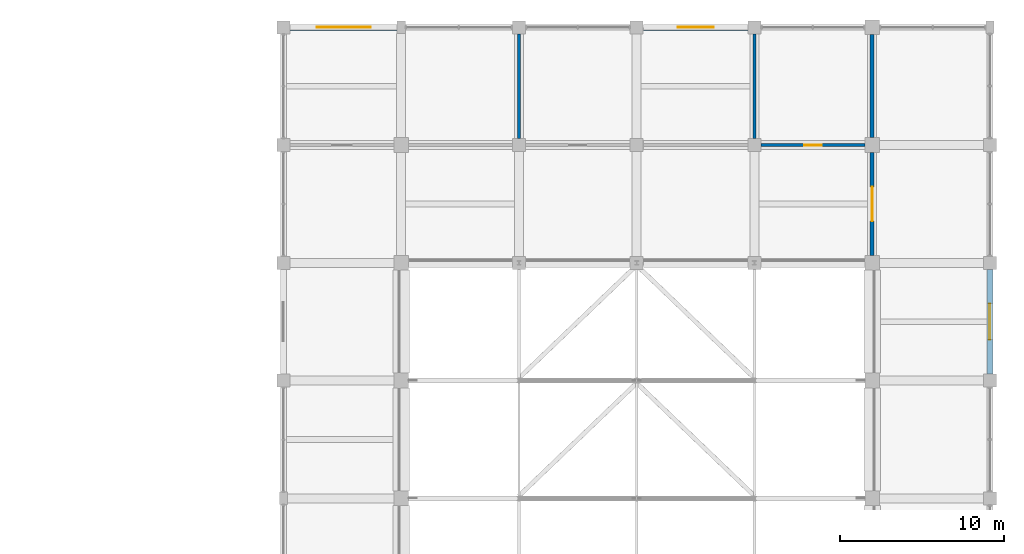
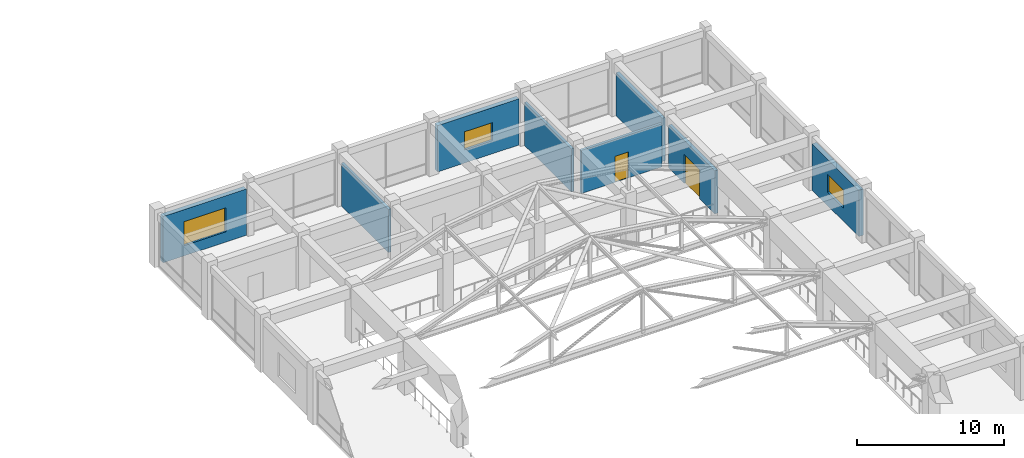
# One storey, part 65 of 75: 8 walls, 3 windows, 2 doors, 5 openings.
"""IFC4 building model written with IfcOpenShell, lengths in metres."""

import ifcopenshell
import ifcopenshell.guid

model = None  # the IFC model being written
_history = None  # IfcOwnerHistory: only IFC2X3 demands one
_inside = {}  # id of a spatial element -> (the spatial element, [elements in it])
_under = {}  # id of a project, library or spatial element -> (it, [spatial elements below it])
_declared = {}  # id of a project -> (the project, [libraries it declares])
_typed = {}  # id of a type object -> (the type object, [elements of that type])
_made_of = {}  # id of a material, layer set ... -> (it, [elements and type objects made of it])


def new_model(schema):
    """Start an empty IFC model of exactly this schema.

    Asked for "IFC4X3", IfcOpenShell would pick the latest addendum, in which some entities
    have other attributes; the version numbers below select the first issue.
    IFC2X3 requires an IfcOwnerHistory on every rooted entity: one is made here for all.
    """
    global model, _history
    if schema == "IFC4X3":
        model = ifcopenshell.file(schema_version=(4, 3, 0, 0))
    else:
        model = ifcopenshell.file(schema=schema)
    _inside.clear()
    _under.clear()
    _declared.clear()
    _typed.clear()
    _made_of.clear()
    _history = None
    if model.schema == "IFC2X3":
        org = make("IfcOrganization", Name="unknown")
        user = make(
            "IfcPersonAndOrganization",
            ThePerson=make("IfcPerson", FamilyName="unknown"),
            TheOrganization=org,
        )
        app = make(
            "IfcApplication",
            ApplicationDeveloper=org,
            Version="unknown",
            ApplicationFullName="unknown",
            ApplicationIdentifier="unknown",
        )
        _history = make(
            "IfcOwnerHistory",
            OwningUser=user,
            OwningApplication=app,
            ChangeAction="ADDED",
            CreationDate=0,
        )
    return model


def make(cls, **values):
    """One entity of the class cls with the attributes given. An attribute that is None is left unset."""
    return model.create_entity(
        cls, **{name: value for name, value in values.items() if value is not None}
    )


def rooted(cls, **values):
    """An entity with a GlobalId (a new one), such as an element, a storey or a relation."""
    return make(cls, GlobalId=ifcopenshell.guid.new(), OwnerHistory=_history, **values)


def si_unit(unit_type, name, prefix=None):
    """IfcSIUnit, for example si_unit("LENGTHUNIT", "METRE", prefix="MILLI")."""
    return make("IfcSIUnit", UnitType=unit_type, Prefix=prefix, Name=name)


def assignment(units):
    """IfcUnitAssignment: the units of a project."""
    return None if units is None else make("IfcUnitAssignment", Units=units)


def point(xyz):
    """IfcCartesianPoint."""
    return None if xyz is None else make("IfcCartesianPoint", Coordinates=xyz)


def direction(xyz):
    """IfcDirection."""
    return None if xyz is None else make("IfcDirection", DirectionRatios=xyz)


def frame(location, z_axis=None, x_axis=None):
    """IfcAxis2Placement3D, a coordinate frame: its origin and axes. An axis left out is left unset."""
    return make(
        "IfcAxis2Placement3D",
        Location=point(location),
        Axis=direction(z_axis),
        RefDirection=direction(x_axis),
    )


def frame_2d(location, x_axis=None):
    """IfcAxis2Placement2D, a coordinate frame in the plane: its origin and x axis."""
    return make(
        "IfcAxis2Placement2D", Location=point(location), RefDirection=direction(x_axis)
    )


def origin():
    """The frame at (0, 0, 0) with its axes left unset."""
    return frame((0.0, 0.0, 0.0))


def place(relative_to, where):
    """IfcLocalPlacement: puts the frame where relative to a parent placement (None: the world)."""
    return make(
        "IfcLocalPlacement", PlacementRelTo=relative_to, RelativePlacement=where
    )


def context(
    kind, dimensions, precision=None, world=None, true_north=None, identifier=None
):
    """IfcGeometricRepresentationContext, for example the 3D "Model" context."""
    return make(
        "IfcGeometricRepresentationContext",
        ContextIdentifier=identifier,
        ContextType=kind,
        CoordinateSpaceDimension=dimensions,
        Precision=precision,
        WorldCoordinateSystem=world,
        TrueNorth=true_north,
    )


def subcontext(parent, identifier, kind, view, scale=None):
    """IfcGeometricRepresentationSubContext, for example "Body" below "Model"."""
    return make(
        "IfcGeometricRepresentationSubContext",
        ContextIdentifier=identifier,
        ContextType=kind,
        ParentContext=parent,
        TargetScale=scale,
        TargetView=view,
    )


def project(units=None, contexts=None):
    """IfcProject with its units and contexts."""
    return rooted(
        "IfcProject",
        Name="project",
        RepresentationContexts=contexts,
        UnitsInContext=assignment(units),
    )


def spatial(cls, under=None, at=None, **own):
    """A site, building, storey or space (cls), placed at a placement, below another one or the project."""
    s = rooted(cls, ObjectPlacement=at, **own)
    if under is not None:
        _under.setdefault(under.id(), (under, []))[1].append(s)
    return s


def profile(cls, at=None, kind="AREA", **sizes):
    """A parametric profile (cls). Its sizes go by their IFC names, for example OverallWidth=200.0."""
    return make(cls, ProfileType=kind, Position=at, **sizes)


def rectangle(**sizes):
    """IfcRectangleProfileDef."""
    return profile("IfcRectangleProfileDef", **sizes)


def extrude(swept, where, along, depth):
    """IfcExtrudedAreaSolid: the profile swept, set in the frame where, extruded along a direction by depth."""
    return make(
        "IfcExtrudedAreaSolid",
        SweptArea=swept,
        Position=where,
        ExtrudedDirection=direction(along),
        Depth=depth,
    )


def shape(context_of_items, identifier, shape_type, items):
    """IfcShapeRepresentation: the items that make up one representation, for example the "Body"."""
    return make(
        "IfcShapeRepresentation",
        ContextOfItems=context_of_items,
        RepresentationIdentifier=identifier,
        RepresentationType=shape_type,
        Items=items,
    )


def material(Name=None, Category=None):
    """IfcMaterial."""
    return make("IfcMaterial", Name=Name, Category=Category)


def layer(
    of_material, thickness, ventilated=None, Name=None, Category=None, Priority=None
):
    """IfcMaterialLayer: one layer of a wall or slab, of a material (None: an air gap)."""
    return make(
        "IfcMaterialLayer",
        Material=of_material,
        LayerThickness=thickness,
        IsVentilated=ventilated,
        Name=Name,
        Category=Category,
        Priority=Priority,
    )


def layer_set(layers, Name=None):
    """IfcMaterialLayerSet."""
    return make("IfcMaterialLayerSet", MaterialLayers=layers, LayerSetName=Name)


def made_of(thing, what):
    """Note that an element or type object is made of a material, layer set ...; save() writes the relation."""
    if what is not None:
        _made_of.setdefault(what.id(), (what, []))[1].append(thing)
    return thing


def type_object(cls, material=None, **own):
    """A type object (cls), such as IfcWallType, which elements share."""
    return made_of(rooted(cls, **own), material)


def element(
    cls,
    number,
    at=None,
    inside=None,
    cuts=None,
    type_object=None,
    material=None,
    context=None,
    identifier="Body",
    shape_type=None,
    held_by="IfcProductDefinitionShape",
    body=None,
    shapes=None,
    **own,
):
    """One element of the class cls, such as IfcWall. Its Tag is "e" and its number.

    at: its placement. inside: the storey or other place that contains it. cuts: it is an
    opening in that element (IfcRelVoidsElement). A single representation is given by context,
    identifier, shape_type and body (its items); several are given by shapes. held_by: the class
    of the entity that holds the representations. save() writes the other relations.
    """
    e = rooted(cls, Tag="e%d" % number, ObjectPlacement=at, **own)
    if body is not None:
        shapes = [shape(context, identifier, shape_type, body)]
    if shapes is not None:
        e.Representation = make(held_by, Representations=shapes)
    if inside is not None:
        _inside.setdefault(inside.id(), (inside, []))[1].append(e)
    if cuts is not None:
        rooted(
            "IfcRelVoidsElement", RelatingBuildingElement=cuts, RelatedOpeningElement=e
        )
    if type_object is not None:
        _typed.setdefault(type_object.id(), (type_object, []))[1].append(e)
    return made_of(e, material)


def fill(opening, filler):
    """IfcRelFillsElement: the door or window that sits in an opening."""
    return rooted(
        "IfcRelFillsElement",
        RelatingOpeningElement=opening,
        RelatedBuildingElement=filler,
    )


def aggregate(whole, parts):
    """IfcRelAggregates: a whole, such as a stair, and the parts it consists of."""
    return rooted("IfcRelAggregates", RelatingObject=whole, RelatedObjects=parts)


def save(model, path):
    """Write the relations noted so far, then the file.

    IfcRelAggregates (storeys below a building ...), IfcRelContainedInSpatialStructure (elements
    in a storey), IfcRelDefinesByType, IfcRelAssociatesMaterial and IfcRelDeclares: one each for
    every whole, place, type object, material and project.
    """
    for whole, parts in _under.values():
        aggregate(whole, parts)
    for where, things in _inside.values():
        rooted(
            "IfcRelContainedInSpatialStructure",
            RelatedElements=things,
            RelatingStructure=where,
        )
    for kind, things in _typed.values():
        rooted("IfcRelDefinesByType", RelatedObjects=things, RelatingType=kind)
    for what, things in _made_of.values():
        rooted("IfcRelAssociatesMaterial", RelatedObjects=things, RelatingMaterial=what)
    for by, libraries in _declared.values():
        rooted("IfcRelDeclares", RelatingContext=by, RelatedDefinitions=libraries)
    model.write(path)


model = new_model("IFC4")

# Units and contexts
model_context = context("Model", 3, precision=1e-05, world=origin(), true_north=direction((0.0, 1.0)))
body_context = subcontext(model_context, "Body", "Model", "MODEL_VIEW")
ifc_project = project(units=[si_unit("LENGTHUNIT", "METRE"), si_unit("AREAUNIT", "SQUARE_METRE"), si_unit("VOLUMEUNIT", "CUBIC_METRE"), si_unit("PLANEANGLEUNIT", "RADIAN"), si_unit("MASSUNIT", "GRAM", prefix="KILO")], contexts=[model_context])

# Site, building, storey
site_placement = place(None, origin())
site = spatial("IfcSite", under=ifc_project, at=site_placement, CompositionType="ELEMENT")
building_placement = place(site_placement, origin())
building = spatial("IfcBuilding", under=site, at=building_placement, Name="Cendaluz Park School", CompositionType="ELEMENT")
storey_placement = place(building_placement, frame((0.0, 0.0, 4.800048828125)))
storey = spatial("IfcBuildingStorey", under=building, at=storey_placement, Name="L01", CompositionType="ELEMENT", Elevation=4.800048828125)

# Walls
ifc_material_1 = material(Name="Gypsum Plasterboard on Cold-Formed Stud", Category="gypsum")
ifc_layer_1 = layer(ifc_material_1, 0.199951171875)
ifc_layer_set_1 = layer_set([ifc_layer_1], Name="Gypsum Plasterboard on Cold-Formed Stud")
wall_type_1 = type_object("IfcWallType", Name="W-AC20", PredefinedType="PARTITIONING", material=ifc_layer_set_1)
for number, where, z_axis, x_axis, name in (
    (1, (144.0, 108.39990234375, 0.0), (0.0, 0.0, 1.0), (0.0, 1.0, 0.0), "WL-FB-CA9"),
    (2, (158.39990234375, 108.39990234375, 0.0), (0.0, 0.0, 1.0), (0.0, 1.0, 0.0), "WL-FB-CC0"),
):
    element("IfcWall", number, at=place(storey_placement, frame(where, z_axis=z_axis, x_axis=x_axis)), inside=storey, type_object=wall_type_1, Name=name, PredefinedType="PARTITIONING", context=body_context, shape_type="SweptSolid", body=[
        extrude(rectangle(XDim=6.400146484375, YDim=0.199951171875, at=frame_2d((3.2001953125, 0.0))), origin(), (0.0, 0.0, 1.0), 3.579833984375),
    ])

# Wall, opening, door
wall_1_placement = place(storey_placement, frame((158.800048828125, 108.0, 0.0), z_axis=(0.0, 0.0, 1.0), x_axis=(1.0, 0.0, 0.0)))
wall_1 = element("IfcWall", 3, at=wall_1_placement, inside=storey, type_object=wall_type_1, Name="WL-FB-CC3", PredefinedType="PARTITIONING", context=body_context, shape_type="SweptSolid", body=[
    extrude(rectangle(XDim=6.349853515625, YDim=0.199951171875, at=frame_2d((3.1748046875, 0.0))), origin(), (0.0, 0.0, 1.0), 3.579833984375),
])
opening_1_placement = place(wall_1_placement, frame((2.64501953125, 0.0, 0.0)))
opening_1 = element("IfcOpeningElement", 4, at=opening_1_placement, cuts=wall_1, Name="Opening DCL-04", PredefinedType="OPENING", context=body_context, shape_type="SweptSolid", body=[
    extrude(rectangle(XDim=1.06005859375, YDim=2.159912109375, at=frame_2d((0.530029296875, 1.080078125))), frame((0.0, 0.112060546875, 0.0), z_axis=(0.0, -1.0, 0.0), x_axis=(1.0, 0.0, 0.0)), (0.0, 0.0, 1.0), 0.223876953125),
])
ifc_material_2 = material(Name="Solid Core Hardwood", Category="wood")
door_type_1 = type_object("IfcDoorType", Name="DCL-04", OperationType="NOTDEFINED", PredefinedType="DOOR", material=ifc_material_2)
door_1_placement = place(opening_1_placement, origin())
door_1 = element("IfcDoor", 5, at=door_1_placement, inside=storey, type_object=door_type_1, Name="D-L01-086", OperationType="SINGLE_SWING_RIGHT", OverallHeight=2.159912109375, OverallWidth=1.06005859375, PredefinedType="DOOR", context=body_context, shape_type="SweptSolid", body=[
    extrude(rectangle(XDim=1.06005859375, YDim=2.159912109375, at=frame_2d((0.530029296875, 1.080078125))), frame((0.0, 0.02490234375, 0.0), z_axis=(0.0, -1.0, 0.0), x_axis=(1.0, 0.0, 0.0)), (0.0, 0.0, 1.0), 0.050048828125),
])
fill(opening_1, door_1)

ifc_layer_2 = layer(ifc_material_1, 0.25)
ifc_layer_set_2 = layer_set([ifc_layer_2], Name="Gypsum Plasterboard on Cold-Formed Stud")
wall_type_2 = type_object("IfcWallType", Name="W-CP25", PredefinedType="PARTITIONING", material=ifc_layer_set_2)
wall_2_placement = place(storey_placement, frame((165.60009765625, 101.25, 0.0), z_axis=(0.0, 0.0, 1.0), x_axis=(0.0, 1.0, 0.0)))
wall_2 = element("IfcWall", 6, at=wall_2_placement, inside=storey, type_object=wall_type_2, Name="WL-FB-BP3", PredefinedType="PARTITIONING", context=body_context, shape_type="SweptSolid", body=[
    extrude(rectangle(XDim=6.300048828125, YDim=0.25, at=frame_2d((3.14990234375, 0.0))), origin(), (0.0, 0.0, 1.0), 3.579833984375),
])
opening_2_placement = place(wall_2_placement, frame((2.10009765625, 0.0, 0.0)))
opening_2 = element("IfcOpeningElement", 7, at=opening_2_placement, cuts=wall_2, Name="Opening DHL-02", PredefinedType="OPENING", context=body_context, shape_type="SweptSolid", body=[
    extrude(rectangle(XDim=2.10009765625, YDim=2.39990234375, at=frame_2d((1.050048828125, 1.199951171875))), frame((0.0, 0.136962890625, 0.0), z_axis=(0.0, -1.0, 0.0), x_axis=(1.0, 0.0, 0.0)), (0.0, 0.0, 1.0), 0.27392578125),
])
door_type_2 = type_object("IfcDoorType", Name="DHL-02", OperationType="DOUBLE_DOOR_SINGLE_SWING", PredefinedType="DOOR", material=ifc_material_2)
door_2_placement = place(opening_2_placement, origin())
door_2 = element("IfcDoor", 8, at=door_2_placement, inside=storey, type_object=door_type_2, Name="D-L01-036", OperationType="DOUBLE_DOOR_SINGLE_SWING", OverallHeight=2.39990234375, OverallWidth=2.10009765625, PredefinedType="DOOR", context=body_context, shape_type="SweptSolid", body=[
    extrude(rectangle(XDim=2.10009765625, YDim=2.39990234375, at=frame_2d((1.050048828125, 1.199951171875))), frame((0.0, 0.02490234375, 0.0), z_axis=(0.0, -1.0, 0.0), x_axis=(1.0, 0.0, 0.0)), (0.0, 0.0, 1.0), 0.050048828125),
])
fill(opening_2, door_2)

# Wall
wall_3_placement = place(storey_placement, frame((165.60009765625, 108.449951171875, 0.0), z_axis=(0.0, 0.0, 1.0), x_axis=(0.0, 1.0, 0.0)))
element("IfcWall", 9, at=wall_3_placement, inside=storey, type_object=wall_type_2, Name="WL-FB-BP4", PredefinedType="PARTITIONING", context=body_context, shape_type="SweptSolid", body=[
    extrude(rectangle(XDim=6.300048828125, YDim=0.25, at=frame_2d((3.14990234375, 0.0))), origin(), (0.0, 0.0, 1.0), 3.579833984375),
])

# Wall, opening, window
ifc_material_3 = material(Name="Concrete C40/50 precast", Category="concrete")
ifc_layer_3 = layer(ifc_material_3, 0.360107421875)
ifc_layer_set_3 = layer_set([ifc_layer_3], Name="Concrete C40/50 precast")
wall_type_3 = type_object("IfcWallType", Name="W-EX36", PredefinedType="SOLIDWALL", material=ifc_layer_set_3)
wall_4_placement = place(storey_placement, frame((130.0, 115.199951171875, 0.0), z_axis=(0.0, 0.0, 1.0), x_axis=(1.0, 0.0, 0.0)))
wall_4 = element("IfcWall", 10, at=wall_4_placement, inside=storey, type_object=wall_type_3, Name="WL-FB-AC8", PredefinedType="SOLIDWALL", context=body_context, shape_type="SweptSolid", body=[
    extrude(rectangle(XDim=6.550048828125, YDim=0.360107421875, at=frame_2d((3.27490234375, 0.0))), origin(), (0.0, 0.0, 1.0), 3.849853515625),
])
opening_3_placement = place(wall_4_placement, frame((1.625, 0.0, 0.85009765625)))
opening_3 = element("IfcOpeningElement", 11, at=opening_3_placement, cuts=wall_4, Name="Opening WN-15", PredefinedType="OPENING", context=body_context, shape_type="SweptSolid", body=[
    extrude(rectangle(XDim=3.300048828125, YDim=2.0, at=frame_2d((1.64990234375, 1.0))), frame((0.0, 0.192138671875, 0.0), z_axis=(0.0, -1.0, 0.0), x_axis=(1.0, 0.0, 0.0)), (0.0, 0.0, 1.0), 0.384033203125),
])
ifc_material_4 = material(Name="Tempered Low-E Double Glazing", Category="glass")
window_type_1 = type_object("IfcWindowType", Name="WN-15", PartitioningType="SINGLE_PANEL", PredefinedType="WINDOW", material=ifc_material_4)
window_1_placement = place(opening_3_placement, origin())
window_1 = element("IfcWindow", 12, at=window_1_placement, inside=storey, type_object=window_type_1, Name="WN-L01-029", OverallHeight=2.0, OverallWidth=3.300048828125, PartitioningType="SINGLE_PANEL", PredefinedType="WINDOW", context=body_context, shape_type="SweptSolid", body=[
    extrude(rectangle(XDim=3.300048828125, YDim=2.0, at=frame_2d((1.64990234375, 1.0))), frame((0.0, 0.030029296875, 0.0), z_axis=(0.0, -1.0, 0.0), x_axis=(1.0, 0.0, 0.0)), (0.0, 0.0, 1.0), 0.06005859375),
])
fill(opening_3, window_1)

wall_5_placement = place(storey_placement, frame((151.60009765625, 115.199951171875, 0.0), z_axis=(0.0, 0.0, 1.0), x_axis=(1.0, 0.0, 0.0)))
wall_5 = element("IfcWall", 13, at=wall_5_placement, inside=storey, type_object=wall_type_3, Name="WL-FB-AD3", PredefinedType="SOLIDWALL", context=body_context, shape_type="SweptSolid", body=[
    extrude(rectangle(XDim=6.39990234375, YDim=0.360107421875, at=frame_2d((3.199951171875, 0.0))), origin(), (0.0, 0.0, 1.0), 3.849853515625),
])
opening_4_placement = place(wall_5_placement, frame((2.10009765625, 0.0, 1.10009765625)))
opening_4 = element("IfcOpeningElement", 14, at=opening_4_placement, cuts=wall_5, Name="Opening WN-18", PredefinedType="OPENING", context=body_context, shape_type="SweptSolid", body=[
    extrude(rectangle(XDim=2.199951171875, YDim=1.5, at=frame_2d((1.10009765625, 0.75))), frame((0.0, 0.192138671875, 0.0), z_axis=(0.0, -1.0, 0.0), x_axis=(1.0, 0.0, 0.0)), (0.0, 0.0, 1.0), 0.384033203125),
])
window_type_2 = type_object("IfcWindowType", Name="WN-18", PartitioningType="SINGLE_PANEL", PredefinedType="WINDOW", material=ifc_material_4)
window_2_placement = place(opening_4_placement, origin())
window_2 = element("IfcWindow", 15, at=window_2_placement, inside=storey, type_object=window_type_2, Name="WN-L01-034", OverallHeight=1.5, OverallWidth=2.199951171875, PartitioningType="SINGLE_PANEL", PredefinedType="WINDOW", context=body_context, shape_type="SweptSolid", body=[
    extrude(rectangle(XDim=2.199951171875, YDim=1.5, at=frame_2d((1.10009765625, 0.75))), frame((0.0, 0.030029296875, 0.0), z_axis=(0.0, -1.0, 0.0), x_axis=(1.0, 0.0, 0.0)), (0.0, 0.0, 1.0), 0.06005859375),
])
fill(opening_4, window_2)

wall_6_placement = place(storey_placement, frame((172.800048828125, 94.0, 0.0), z_axis=(0.0, 0.0, 1.0), x_axis=(0.0, 1.0, 0.0)))
wall_6 = element("IfcWall", 16, at=wall_6_placement, inside=storey, type_object=wall_type_3, Name="WL-FB-AD8", PredefinedType="SOLIDWALL", context=body_context, shape_type="SweptSolid", body=[
    extrude(rectangle(XDim=6.39990234375, YDim=0.360107421875, at=frame_2d((3.199951171875, 0.0))), origin(), (0.0, 0.0, 1.0), 3.849853515625),
])
opening_5_placement = place(wall_6_placement, frame((2.10009765625, 0.0, 1.10009765625)))
opening_5 = element("IfcOpeningElement", 17, at=opening_5_placement, cuts=wall_6, Name="Opening WN-18", PredefinedType="OPENING", context=body_context, shape_type="SweptSolid", body=[
    extrude(rectangle(XDim=2.199951171875, YDim=1.5, at=frame_2d((1.10009765625, 0.75))), frame((0.0, 0.192138671875, 0.0), z_axis=(0.0, -1.0, 0.0), x_axis=(1.0, 0.0, 0.0)), (0.0, 0.0, 1.0), 0.384033203125),
])
window_3_placement = place(opening_5_placement, origin())
window_3 = element("IfcWindow", 18, at=window_3_placement, inside=storey, type_object=window_type_2, Name="WN-L01-039", OverallHeight=1.5, OverallWidth=2.199951171875, PartitioningType="SINGLE_PANEL", PredefinedType="WINDOW", context=body_context, shape_type="SweptSolid", body=[
    extrude(rectangle(XDim=2.199951171875, YDim=1.5, at=frame_2d((1.10009765625, 0.75))), frame((0.0, 0.030029296875, 0.0), z_axis=(0.0, -1.0, 0.0), x_axis=(1.0, 0.0, 0.0)), (0.0, 0.0, 1.0), 0.06005859375),
])
fill(opening_5, window_3)

save(model, "model.ifc")
